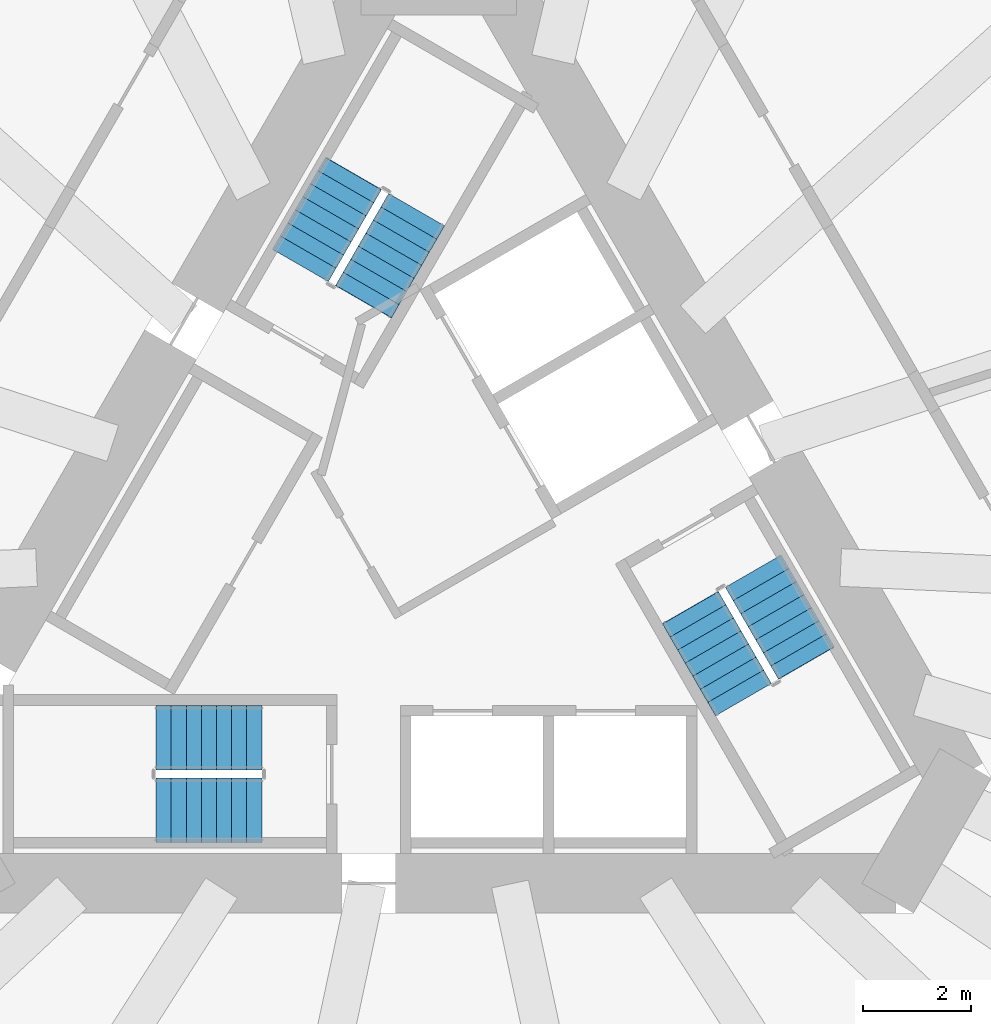
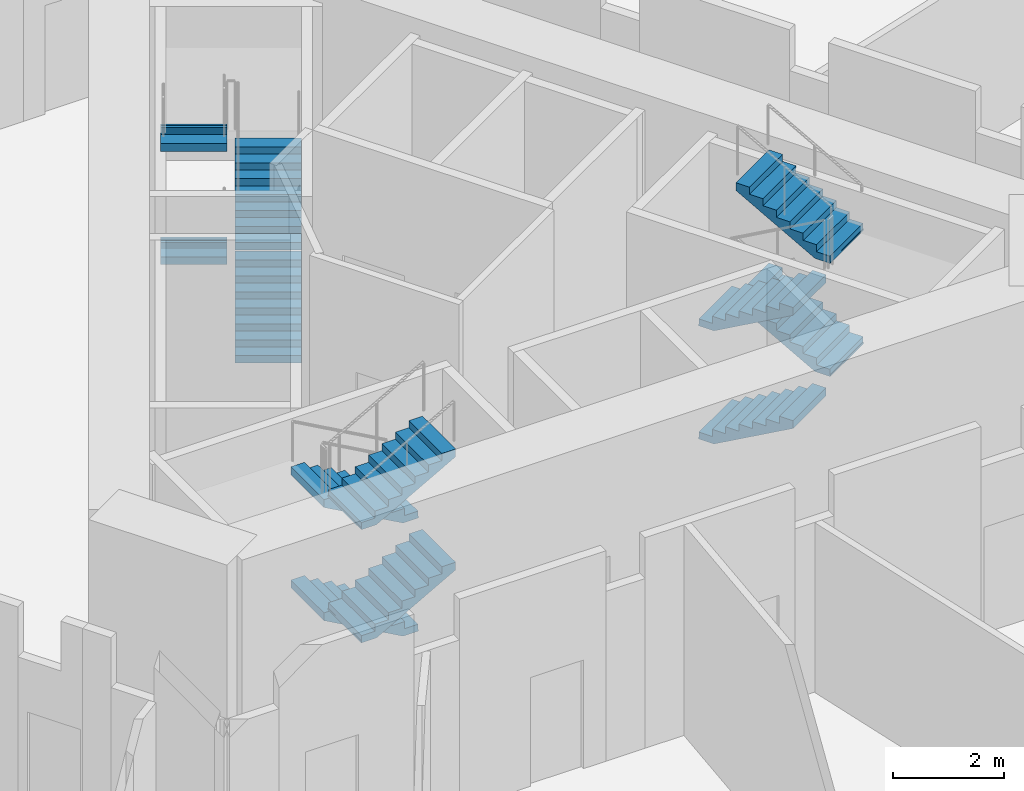
# One storey, part 16 of 20: 12 stair flights, 3 elements without a shape of their own.
"""IFC4 building model written with IfcOpenShell, lengths in metres."""

from ifc_helpers import new_model, si_unit, direction, frame, origin, place, context, subcontext, project, spatial, polyline, outline, extrude, material, layer, layer_set, type_object, element, aggregate, save


model = new_model("IFC4")

# Units and contexts
model_context = context("Model", 3, precision=1e-05, world=origin(), true_north=direction((0.0, 1.0)))
body_context = subcontext(model_context, "Body", "Model", "MODEL_VIEW")
ifc_project = project(units=[si_unit("LENGTHUNIT", "METRE"), si_unit("AREAUNIT", "SQUARE_METRE"), si_unit("VOLUMEUNIT", "CUBIC_METRE"), si_unit("PLANEANGLEUNIT", "RADIAN"), si_unit("MASSUNIT", "GRAM", prefix="KILO")], contexts=[model_context])

# Site, building, storey
site_placement = place(None, origin())
site = spatial("IfcSite", under=ifc_project, at=site_placement, CompositionType="ELEMENT")
building_placement = place(site_placement, origin())
building = spatial("IfcBuilding", under=site, at=building_placement, Name="Tramontana Tower", CompositionType="ELEMENT")
storey_placement = place(building_placement, frame((0.0, 0.0, 20.0)))
storey = spatial("IfcBuildingStorey", under=building, at=storey_placement, Name="L03", CompositionType="ELEMENT", Elevation=20.0)

# Stair, stair flights
ifc_material_1 = material(Name="Concrete 40 MPa", Category="concrete")
stair_type = type_object("IfcStairType", Name="EXIT STAIR 32 RISERS", PredefinedType="HALF_TURN_STAIR", material=ifc_material_1)
stair_1_placement = place(storey_placement, origin())
stair_1 = element("IfcStair", 1, at=stair_1_placement, inside=storey, type_object=stair_type, Name="L03 Exit stair ST1", PredefinedType="HALF_TURN_STAIR")
ifc_material_2 = material(Name="Concrete 40 MPa", Category="concrete")
ifc_layer = layer(ifc_material_2, 0.14990234375)
ifc_layer_set = layer_set([ifc_layer], Name="EXIT STAIR FLIGHT")
stair_flight_type = type_object("IfcStairFlightType", Name="EXIT STAIR FLIGHT", PredefinedType="STRAIGHT", material=ifc_layer_set)
stair_flight_1_placement = place(storey_placement, frame((-1.39111328125, 4.590576171875, 0.0), z_axis=(0.0, 0.0, 1.0), x_axis=(0.5, 0.866025403784, 0.0)))
stair_flight_1 = element("IfcStairFlight", 2, at=stair_flight_1_placement, type_object=stair_flight_type, Name="ST1 flight 1", NumberOfRisers=8, NumberOfTreads=7, PredefinedType="STRAIGHT", RiserHeight=0.15625, TreadLength=0.28, context=body_context, shape_type="SweptSolid", body=[
    extrude(outline(polyline([(-0.006103515625, 0.0), (-0.006103515625, 0.0400390625), (0.0, 0.0400390625), (0.0, 0.15625), (0.280029296875, 0.15625), (0.280029296875, 0.3125), (0.56005859375, 0.3125), (0.56005859375, 0.46875), (0.840087890625, 0.46875), (0.840087890625, 0.625), (1.1201171875, 0.625), (1.1201171875, 0.78125), (1.39990234375, 0.78125), (1.39990234375, 0.9375), (1.679931640625, 0.9375), (1.679931640625, 1.09375), (1.9599609375, 1.09375), (1.966064453125, 1.09375), (1.966064453125, 0.922119140625), (0.313720703125, 0.0), (-0.006103515625, 0.0)])), frame((0.0, 0.60009765625, 0.0), z_axis=(0.0, -1.0, 0.0), x_axis=(1.0, 0.0, 0.0)), (0.0, 0.0, 1.0), 1.199951171875),
])
stair_flight_2_placement = place(storey_placement, frame((-1.580322265625, 6.962890625, 1.25), z_axis=(0.0, 0.0, 1.0), x_axis=(-0.5, -0.866025403784, 0.0)))
stair_flight_2 = element("IfcStairFlight", 3, at=stair_flight_2_placement, type_object=stair_flight_type, Name="ST1 flight 2", NumberOfRisers=8, NumberOfTreads=7, PredefinedType="STRAIGHT", RiserHeight=0.15625, TreadLength=0.28, context=body_context, shape_type="SweptSolid", body=[
    extrude(outline(polyline([(-0.006103515625, 0.0), (-0.006103515625, 0.0400390625), (0.0, 0.0400390625), (0.0, 0.15625), (0.280029296875, 0.15625), (0.280029296875, 0.3125), (0.56005859375, 0.3125), (0.56005859375, 0.46875), (0.840087890625, 0.46875), (0.840087890625, 0.625), (1.1201171875, 0.625), (1.1201171875, 0.78125), (1.39990234375, 0.78125), (1.39990234375, 0.9375), (1.679931640625, 0.9375), (1.679931640625, 1.09375), (1.9599609375, 1.09375), (1.966064453125, 1.09375), (1.966064453125, 0.922119140625), (0.313720703125, 0.0), (-0.006103515625, 0.0)])), frame((0.0, 0.60009765625, 0.0), z_axis=(0.0, -1.0, 0.0), x_axis=(1.0, 0.0, 0.0)), (0.0, 0.0, 1.0), 1.199951171875),
])
stair_flight_3_placement = place(storey_placement, frame((-1.39111328125, 4.590576171875, 2.5), z_axis=(0.0, 0.0, 1.0), x_axis=(0.5, 0.866025403784, 0.0)))
stair_flight_3 = element("IfcStairFlight", 4, at=stair_flight_3_placement, type_object=stair_flight_type, Name="ST1 flight 3", NumberOfRisers=8, NumberOfTreads=7, PredefinedType="STRAIGHT", RiserHeight=0.15625, TreadLength=0.28, context=body_context, shape_type="SweptSolid", body=[
    extrude(outline(polyline([(-0.006103515625, 0.0), (-0.006103515625, 0.0400390625), (0.0, 0.0400390625), (0.0, 0.15625), (0.280029296875, 0.15625), (0.280029296875, 0.3125), (0.56005859375, 0.3125), (0.56005859375, 0.46875), (0.840087890625, 0.46875), (0.840087890625, 0.625), (1.1201171875, 0.625), (1.1201171875, 0.78125), (1.39990234375, 0.78125), (1.39990234375, 0.9375), (1.679931640625, 0.9375), (1.679931640625, 1.09375), (1.9599609375, 1.09375), (1.966064453125, 1.09375), (1.966064453125, 0.922119140625), (0.313720703125, 0.0), (-0.006103515625, 0.0)])), frame((0.0, 0.60009765625, 0.0), z_axis=(0.0, -1.0, 0.0), x_axis=(1.0, 0.0, 0.0)), (0.0, 0.0, 1.0), 1.199951171875),
])
stair_flight_4_placement = place(storey_placement, frame((-1.580322265625, 6.962890625, 3.75), z_axis=(0.0, 0.0, 1.0), x_axis=(-0.5, -0.866025403784, 0.0)))
stair_flight_4 = element("IfcStairFlight", 5, at=stair_flight_4_placement, type_object=stair_flight_type, Name="ST1 flight 4", NumberOfRisers=8, NumberOfTreads=7, PredefinedType="STRAIGHT", RiserHeight=0.15625, TreadLength=0.28, context=body_context, shape_type="SweptSolid", body=[
    extrude(outline(polyline([(-0.006103515625, 0.0), (-0.006103515625, 0.0400390625), (0.0, 0.0400390625), (0.0, 0.15625), (0.280029296875, 0.15625), (0.280029296875, 0.3125), (0.56005859375, 0.3125), (0.56005859375, 0.46875), (0.840087890625, 0.46875), (0.840087890625, 0.625), (1.1201171875, 0.625), (1.1201171875, 0.78125), (1.39990234375, 0.78125), (1.39990234375, 0.9375), (1.679931640625, 0.9375), (1.679931640625, 1.09375), (1.9599609375, 1.09375), (1.966064453125, 1.09375), (1.966064453125, 0.922119140625), (0.313720703125, 0.0), (-0.006103515625, 0.0)])), frame((0.0, 0.60009765625, 0.0), z_axis=(0.0, -1.0, 0.0), x_axis=(1.0, 0.0, 0.0)), (0.0, 0.0, 1.0), 1.199951171875),
])
aggregate(stair_1, [stair_flight_1, stair_flight_2, stair_flight_3, stair_flight_4])

stair_2_placement = place(storey_placement, origin())
stair_2 = element("IfcStair", 6, at=stair_2_placement, inside=storey, type_object=stair_type, Name="L03 Exit stair ST2", PredefinedType="HALF_TURN_STAIR")
stair_flight_5_placement = place(storey_placement, frame((-3.280029296875, -3.5, 0.0), z_axis=(0.0, 0.0, 1.0), x_axis=(-1.0, 0.0, 0.0)))
stair_flight_5 = element("IfcStairFlight", 7, at=stair_flight_5_placement, type_object=stair_flight_type, Name="ST2 flight 1", NumberOfRisers=8, NumberOfTreads=7, PredefinedType="STRAIGHT", RiserHeight=0.15625, TreadLength=0.28, context=body_context, shape_type="SweptSolid", body=[
    extrude(outline(polyline([(-0.006103515625, 0.0), (-0.006103515625, 0.0400390625), (0.0, 0.0400390625), (0.0, 0.15625), (0.280029296875, 0.15625), (0.280029296875, 0.3125), (0.56005859375, 0.3125), (0.56005859375, 0.46875), (0.840087890625, 0.46875), (0.840087890625, 0.625), (1.1201171875, 0.625), (1.1201171875, 0.78125), (1.39990234375, 0.78125), (1.39990234375, 0.9375), (1.679931640625, 0.9375), (1.679931640625, 1.09375), (1.9599609375, 1.09375), (1.966064453125, 1.09375), (1.966064453125, 0.922119140625), (0.313720703125, 0.0), (-0.006103515625, 0.0)])), frame((0.0, 0.60009765625, 0.0), z_axis=(0.0, -1.0, 0.0), x_axis=(1.0, 0.0, 0.0)), (0.0, 0.0, 1.0), 1.199951171875),
])
stair_flight_6_placement = place(storey_placement, frame((-5.239990234375, -4.85009765625, 1.25), z_axis=(0.0, 0.0, 1.0), x_axis=(1.0, 0.0, 0.0)))
stair_flight_6 = element("IfcStairFlight", 8, at=stair_flight_6_placement, type_object=stair_flight_type, Name="ST2 flight 2", NumberOfRisers=8, NumberOfTreads=7, PredefinedType="STRAIGHT", RiserHeight=0.15625, TreadLength=0.28, context=body_context, shape_type="SweptSolid", body=[
    extrude(outline(polyline([(-0.006103515625, 0.0), (-0.006103515625, 0.0400390625), (0.0, 0.0400390625), (0.0, 0.15625), (0.280029296875, 0.15625), (0.280029296875, 0.3125), (0.56005859375, 0.3125), (0.56005859375, 0.46875), (0.840087890625, 0.46875), (0.840087890625, 0.625), (1.1201171875, 0.625), (1.1201171875, 0.78125), (1.39990234375, 0.78125), (1.39990234375, 0.9375), (1.679931640625, 0.9375), (1.679931640625, 1.09375), (1.9599609375, 1.09375), (1.966064453125, 1.09375), (1.966064453125, 0.922119140625), (0.313720703125, 0.0), (-0.006103515625, 0.0)])), frame((0.0, 0.60009765625, 0.0), z_axis=(0.0, -1.0, 0.0), x_axis=(1.0, 0.0, 0.0)), (0.0, 0.0, 1.0), 1.199951171875),
])
stair_flight_7_placement = place(storey_placement, frame((-3.280029296875, -3.5, 2.5), z_axis=(0.0, 0.0, 1.0), x_axis=(-1.0, 0.0, 0.0)))
stair_flight_7 = element("IfcStairFlight", 9, at=stair_flight_7_placement, type_object=stair_flight_type, Name="ST2 flight 3", NumberOfRisers=8, NumberOfTreads=7, PredefinedType="STRAIGHT", RiserHeight=0.15625, TreadLength=0.28, context=body_context, shape_type="SweptSolid", body=[
    extrude(outline(polyline([(-0.006103515625, 0.0), (-0.006103515625, 0.0400390625), (0.0, 0.0400390625), (0.0, 0.15625), (0.280029296875, 0.15625), (0.280029296875, 0.3125), (0.56005859375, 0.3125), (0.56005859375, 0.46875), (0.840087890625, 0.46875), (0.840087890625, 0.625), (1.1201171875, 0.625), (1.1201171875, 0.78125), (1.39990234375, 0.78125), (1.39990234375, 0.9375), (1.679931640625, 0.9375), (1.679931640625, 1.09375), (1.9599609375, 1.09375), (1.966064453125, 1.09375), (1.966064453125, 0.922119140625), (0.313720703125, 0.0), (-0.006103515625, 0.0)])), frame((0.0, 0.60009765625, 0.0), z_axis=(0.0, -1.0, 0.0), x_axis=(1.0, 0.0, 0.0)), (0.0, 0.0, 1.0), 1.199951171875),
])
stair_flight_8_placement = place(storey_placement, frame((-5.239990234375, -4.85009765625, 3.75), z_axis=(0.0, 0.0, 1.0), x_axis=(1.0, 0.0, 0.0)))
stair_flight_8 = element("IfcStairFlight", 10, at=stair_flight_8_placement, type_object=stair_flight_type, Name="ST2 flight 4", NumberOfRisers=8, NumberOfTreads=7, PredefinedType="STRAIGHT", RiserHeight=0.15625, TreadLength=0.28, context=body_context, shape_type="SweptSolid", body=[
    extrude(outline(polyline([(-0.006103515625, 0.0), (-0.006103515625, 0.0400390625), (0.0, 0.0400390625), (0.0, 0.15625), (0.280029296875, 0.15625), (0.280029296875, 0.3125), (0.56005859375, 0.3125), (0.56005859375, 0.46875), (0.840087890625, 0.46875), (0.840087890625, 0.625), (1.1201171875, 0.625), (1.1201171875, 0.78125), (1.39990234375, 0.78125), (1.39990234375, 0.9375), (1.679931640625, 0.9375), (1.679931640625, 1.09375), (1.9599609375, 1.09375), (1.966064453125, 1.09375), (1.966064453125, 0.922119140625), (0.313720703125, 0.0), (-0.006103515625, 0.0)])), frame((0.0, 0.60009765625, 0.0), z_axis=(0.0, -1.0, 0.0), x_axis=(1.0, 0.0, 0.0)), (0.0, 0.0, 1.0), 1.199951171875),
])
aggregate(stair_2, [stair_flight_5, stair_flight_6, stair_flight_7, stair_flight_8])

stair_3_placement = place(storey_placement, origin())
stair_3 = element("IfcStair", 11, at=stair_3_placement, inside=storey, type_object=stair_type, Name="L03 Exit stair ST3", PredefinedType="HALF_TURN_STAIR")
stair_flight_9_placement = place(storey_placement, frame((4.671142578125, -1.090576171875, 0.0), z_axis=(0.0, 0.0, 1.0), x_axis=(0.5, -0.866025403784, 0.0)))
stair_flight_9 = element("IfcStairFlight", 12, at=stair_flight_9_placement, type_object=stair_flight_type, Name="ST3 flight 1", NumberOfRisers=8, NumberOfTreads=7, PredefinedType="STRAIGHT", RiserHeight=0.15625, TreadLength=0.28, context=body_context, shape_type="SweptSolid", body=[
    extrude(outline(polyline([(-0.006103515625, 0.0), (-0.006103515625, 0.0400390625), (0.0, 0.0400390625), (0.0, 0.15625), (0.280029296875, 0.15625), (0.280029296875, 0.3125), (0.56005859375, 0.3125), (0.56005859375, 0.46875), (0.840087890625, 0.46875), (0.840087890625, 0.625), (1.1201171875, 0.625), (1.1201171875, 0.78125), (1.39990234375, 0.78125), (1.39990234375, 0.9375), (1.679931640625, 0.9375), (1.679931640625, 1.09375), (1.9599609375, 1.09375), (1.966064453125, 1.09375), (1.966064453125, 0.922119140625), (0.313720703125, 0.0), (-0.006103515625, 0.0)])), frame((0.0, 0.60009765625, 0.0), z_axis=(0.0, -1.0, 0.0), x_axis=(1.0, 0.0, 0.0)), (0.0, 0.0, 1.0), 1.199951171875),
])
stair_flight_10_placement = place(storey_placement, frame((6.8203125, -2.113037109375, 1.25), z_axis=(0.0, 0.0, 1.0), x_axis=(-0.5, 0.866025403784, 0.0)))
stair_flight_10 = element("IfcStairFlight", 13, at=stair_flight_10_placement, type_object=stair_flight_type, Name="ST3 flight 2", NumberOfRisers=8, NumberOfTreads=7, PredefinedType="STRAIGHT", RiserHeight=0.15625, TreadLength=0.28, context=body_context, shape_type="SweptSolid", body=[
    extrude(outline(polyline([(-0.006103515625, 0.0), (-0.006103515625, 0.0400390625), (0.0, 0.0400390625), (0.0, 0.15625), (0.280029296875, 0.15625), (0.280029296875, 0.3125), (0.56005859375, 0.3125), (0.56005859375, 0.46875), (0.840087890625, 0.46875), (0.840087890625, 0.625), (1.1201171875, 0.625), (1.1201171875, 0.78125), (1.39990234375, 0.78125), (1.39990234375, 0.9375), (1.679931640625, 0.9375), (1.679931640625, 1.09375), (1.9599609375, 1.09375), (1.966064453125, 1.09375), (1.966064453125, 0.922119140625), (0.313720703125, 0.0), (-0.006103515625, 0.0)])), frame((0.0, 0.60009765625, 0.0), z_axis=(0.0, -1.0, 0.0), x_axis=(1.0, 0.0, 0.0)), (0.0, 0.0, 1.0), 1.199951171875),
])
stair_flight_11_placement = place(storey_placement, frame((4.671142578125, -1.090576171875, 2.5), z_axis=(0.0, 0.0, 1.0), x_axis=(0.5, -0.866025403784, 0.0)))
stair_flight_11 = element("IfcStairFlight", 14, at=stair_flight_11_placement, type_object=stair_flight_type, Name="ST3 flight 3", NumberOfRisers=8, NumberOfTreads=7, PredefinedType="STRAIGHT", RiserHeight=0.15625, TreadLength=0.28, context=body_context, shape_type="SweptSolid", body=[
    extrude(outline(polyline([(-0.006103515625, 0.0), (-0.006103515625, 0.0400390625), (0.0, 0.0400390625), (0.0, 0.15625), (0.280029296875, 0.15625), (0.280029296875, 0.3125), (0.56005859375, 0.3125), (0.56005859375, 0.46875), (0.840087890625, 0.46875), (0.840087890625, 0.625), (1.1201171875, 0.625), (1.1201171875, 0.78125), (1.39990234375, 0.78125), (1.39990234375, 0.9375), (1.679931640625, 0.9375), (1.679931640625, 1.09375), (1.9599609375, 1.09375), (1.966064453125, 1.09375), (1.966064453125, 0.922119140625), (0.313720703125, 0.0), (-0.006103515625, 0.0)])), frame((0.0, 0.60009765625, 0.0), z_axis=(0.0, -1.0, 0.0), x_axis=(1.0, 0.0, 0.0)), (0.0, 0.0, 1.0), 1.199951171875),
])
stair_flight_12_placement = place(storey_placement, frame((6.8203125, -2.113037109375, 3.75), z_axis=(0.0, 0.0, 1.0), x_axis=(-0.5, 0.866025403784, 0.0)))
stair_flight_12 = element("IfcStairFlight", 15, at=stair_flight_12_placement, type_object=stair_flight_type, Name="ST3 flight 4", NumberOfRisers=8, NumberOfTreads=7, PredefinedType="STRAIGHT", RiserHeight=0.15625, TreadLength=0.28, context=body_context, shape_type="SweptSolid", body=[
    extrude(outline(polyline([(-0.006103515625, 0.0), (-0.006103515625, 0.0400390625), (0.0, 0.0400390625), (0.0, 0.15625), (0.280029296875, 0.15625), (0.280029296875, 0.3125), (0.56005859375, 0.3125), (0.56005859375, 0.46875), (0.840087890625, 0.46875), (0.840087890625, 0.625), (1.1201171875, 0.625), (1.1201171875, 0.78125), (1.39990234375, 0.78125), (1.39990234375, 0.9375), (1.679931640625, 0.9375), (1.679931640625, 1.09375), (1.9599609375, 1.09375), (1.966064453125, 1.09375), (1.966064453125, 0.922119140625), (0.313720703125, 0.0), (-0.006103515625, 0.0)])), frame((0.0, 0.60009765625, 0.0), z_axis=(0.0, -1.0, 0.0), x_axis=(1.0, 0.0, 0.0)), (0.0, 0.0, 1.0), 1.199951171875),
])
aggregate(stair_3, [stair_flight_9, stair_flight_10, stair_flight_11, stair_flight_12])

save(model, "model.ifc")
